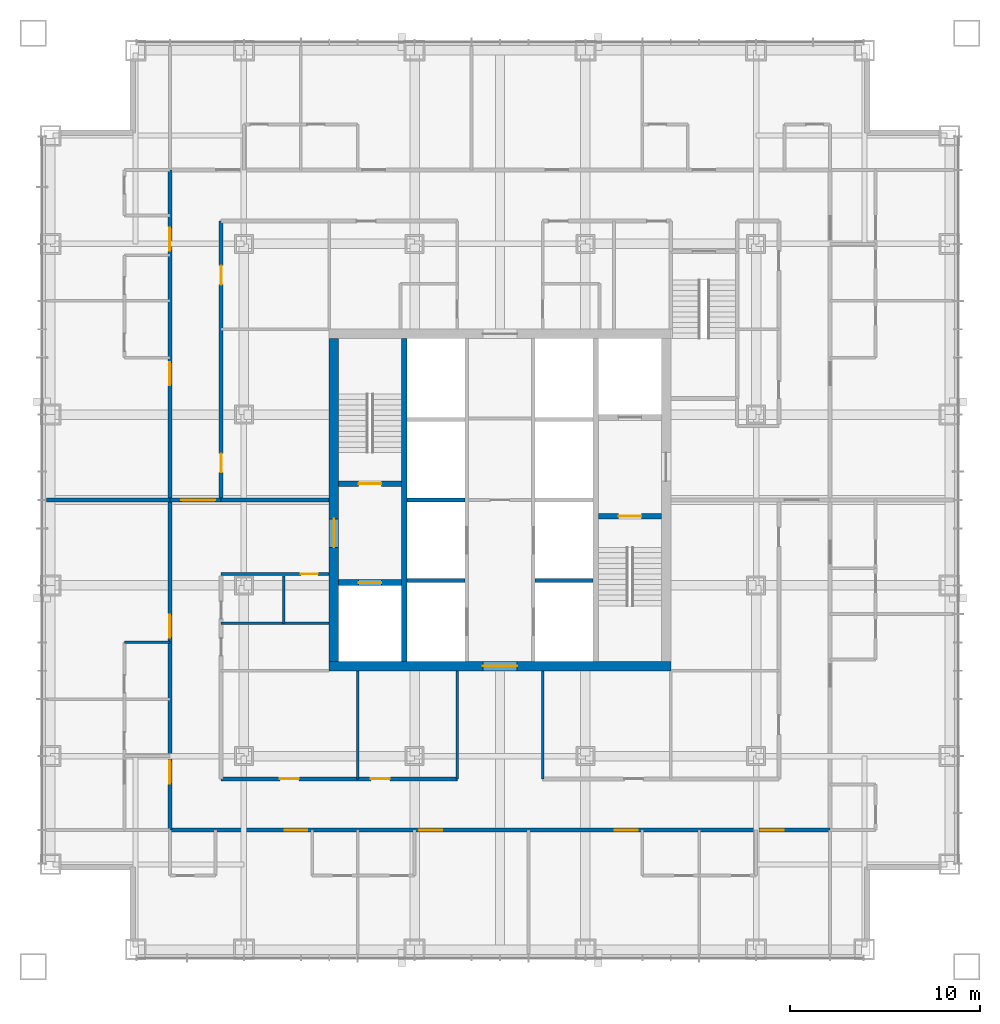
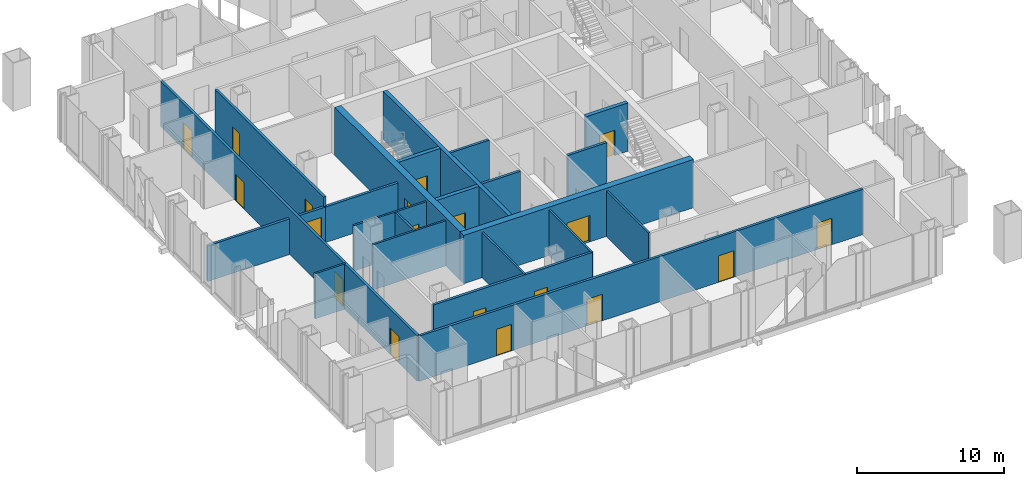
# One storey, part 9 of 18: 23 walls, 19 doors, 19 openings.
"""IFC4 building model written with IfcOpenShell, lengths in metres."""

from ifc_helpers import new_model, si_unit, direction, frame, frame_2d, origin, place, context, subcontext, project, spatial, rectangle, extrude, material, layer, layer_set, type_object, element, fill, save


model = new_model("IFC4")

# Units and contexts
model_context = context("Model", 3, precision=1e-05, world=origin(), true_north=direction((0.0, 1.0)))
body_context = subcontext(model_context, "Body", "Model", "MODEL_VIEW")
ifc_project = project(units=[si_unit("LENGTHUNIT", "METRE"), si_unit("AREAUNIT", "SQUARE_METRE"), si_unit("VOLUMEUNIT", "CUBIC_METRE"), si_unit("PLANEANGLEUNIT", "RADIAN"), si_unit("MASSUNIT", "GRAM", prefix="KILO")], contexts=[model_context])

# Site, building, storey
site_placement = place(None, origin())
site = spatial("IfcSite", under=ifc_project, at=site_placement, CompositionType="ELEMENT")
building_placement = place(site_placement, origin())
building = spatial("IfcBuilding", under=site, at=building_placement, Name="Malebo Sky Hospital", CompositionType="ELEMENT")
storey_placement = place(building_placement, frame((0.0, 0.0, 124.0)))
storey = spatial("IfcBuildingStorey", under=building, at=storey_placement, Name="L29", CompositionType="ELEMENT", Elevation=124.0)

# Walls
ifc_material_1 = material(Name="Concrete C80/95", Category="concrete")
ifc_layer_1 = layer(ifc_material_1, 0.199951171875)
ifc_layer_set_1 = layer_set([ifc_layer_1], Name="CORE INNER WALL 200")
wall_type_1 = type_object("IfcWallType", Name="CORE INNER WALL 200", PredefinedType="SHEAR", material=ifc_layer_set_1)
for number, where, z_axis, x_axis, name in (
    (1, (55.10009765625, 57.75, 0.0), (0.0, 0.0, 1.0), (1.0, 0.0, 0.0), "Core wall SW0 L29"),
    (2, (61.85009765625, 57.75, 0.0), (0.0, 0.0, 1.0), (1.0, 0.0, 0.0), "Core wall SE0 L29"),
    (3, (55.10009765625, 62.0, 0.0), (0.0, 0.0, 1.0), (1.0, 0.0, 0.0), "Core wall SW1 L29"),
):
    element("IfcWall", number, at=place(storey_placement, frame(where, z_axis=z_axis, x_axis=x_axis)), inside=storey, type_object=wall_type_1, Name=name, PredefinedType="SHEAR", context=body_context, shape_type="SweptSolid", body=[
        extrude(rectangle(XDim=3.0498046875, YDim=0.199951171875, at=frame_2d((1.52490234375, 0.0))), origin(), (0.0, 0.0, 1.0), 4.0),
    ])
ifc_layer_2 = layer(ifc_material_1, 0.300048828125)
ifc_layer_set_2 = layer_set([ifc_layer_2], Name="CORE INNER WALL 300")
wall_type_2 = type_object("IfcWallType", Name="CORE INNER WALL 300", PredefinedType="SHEAR", material=ifc_layer_set_2)
wall_1_placement = place(storey_placement, frame((54.949951171875, 53.5, 0.0), z_axis=(0.0, 0.0, 1.0), x_axis=(0.0, 1.0, 0.0)))
element("IfcWall", 4, at=wall_1_placement, inside=storey, type_object=wall_type_2, Name="Core wall XW L29", PredefinedType="SHEAR", context=body_context, shape_type="SweptSolid", body=[
    extrude(rectangle(XDim=17.0, YDim=0.300048828125, at=frame_2d((8.5, 0.0))), origin(), (0.0, 0.0, 1.0), 4.0),
])

# Wall, opening, door
wall_2_placement = place(storey_placement, frame((51.5, 62.85009765625, 0.0), z_axis=(0.0, 0.0, 1.0), x_axis=(1.0, 0.0, 0.0)))
wall_2 = element("IfcWall", 5, at=wall_2_placement, inside=storey, type_object=wall_type_2, Name="Core wall W1 L29", PredefinedType="SHEAR", context=body_context, shape_type="SweptSolid", body=[
    extrude(rectangle(XDim=3.300048828125, YDim=0.300048828125, at=frame_2d((1.64990234375, 0.0))), origin(), (0.0, 0.0, 1.0), 4.0),
])
opening_1_placement = place(wall_2_placement, frame((1.050048828125, 0.0, 0.0)))
opening_1 = element("IfcOpeningElement", 6, at=opening_1_placement, cuts=wall_2, Name="Opening D08", PredefinedType="OPENING", context=body_context, shape_type="SweptSolid", body=[
    extrude(rectangle(XDim=1.199951171875, YDim=2.10009765625, at=frame_2d((0.60009765625, 1.050048828125))), frame((0.0, 0.159912109375, 0.0), z_axis=(0.0, -1.0, 0.0), x_axis=(1.0, 0.0, 0.0)), (0.0, 0.0, 1.0), 0.320068359375),
])
ifc_material_2 = material(Name="Hardwood-faced door leaf in steel frame", Category="steel")
door_type_1 = type_object("IfcDoorType", Name="STAIR DOOR 1200", OperationType="SINGLE_SWING_LEFT", PredefinedType="DOOR", material=ifc_material_2)
door_1_placement = place(opening_1_placement, origin())
door_1 = element("IfcDoor", 7, at=door_1_placement, inside=storey, type_object=door_type_1, Name="Stair S1 door", OperationType="SINGLE_SWING_LEFT", OverallHeight=2.10009765625, OverallWidth=1.199951171875, PredefinedType="DOOR", context=body_context, shape_type="SweptSolid", body=[
    extrude(rectangle(XDim=1.199951171875, YDim=2.10009765625, at=frame_2d((0.60009765625, 1.050048828125))), frame((0.0, 0.02490234375, 0.0), z_axis=(0.0, -1.0, 0.0), x_axis=(1.0, 0.0, 0.0)), (0.0, 0.0, 1.0), 0.050048828125),
])
fill(opening_1, door_1)

wall_3_placement = place(storey_placement, frame((51.5, 57.64990234375, 0.0), z_axis=(0.0, 0.0, 1.0), x_axis=(1.0, 0.0, 0.0)))
wall_3 = element("IfcWall", 8, at=wall_3_placement, inside=storey, type_object=wall_type_2, Name="Core wall W2 L29", PredefinedType="SHEAR", context=body_context, shape_type="SweptSolid", body=[
    extrude(rectangle(XDim=3.300048828125, YDim=0.300048828125, at=frame_2d((1.64990234375, 0.0))), origin(), (0.0, 0.0, 1.0), 4.0),
])
opening_2_placement = place(wall_3_placement, frame((1.050048828125, 0.0, 0.0)))
opening_2 = element("IfcOpeningElement", 9, at=opening_2_placement, cuts=wall_3, Name="Opening LD2", PredefinedType="OPENING", context=body_context, shape_type="SweptSolid", body=[
    extrude(rectangle(XDim=1.199951171875, YDim=2.199951171875, at=frame_2d((0.60009765625, 1.10009765625))), frame((0.0, 0.159912109375, 0.0), z_axis=(0.0, -1.0, 0.0), x_axis=(1.0, 0.0, 0.0)), (0.0, 0.0, 1.0), 0.320068359375),
])
ifc_material_3 = material(Name="Stainless steel sliding landing door", Category="steel")
door_type_2 = type_object("IfcDoorType", Name="FIRE-FIGHTING LIFT LANDING DOOR 1200", OperationType="SLIDING_TO_LEFT", PredefinedType="DOOR", material=ifc_material_3)
door_2_placement = place(opening_2_placement, origin())
door_2 = element("IfcDoor", 10, at=door_2_placement, inside=storey, type_object=door_type_2, Name="Lift FL1 landing door", OperationType="SLIDING_TO_LEFT", OverallHeight=2.199951171875, OverallWidth=1.199951171875, PredefinedType="DOOR", context=body_context, shape_type="SweptSolid", body=[
    extrude(rectangle(XDim=1.199951171875, YDim=2.199951171875, at=frame_2d((0.60009765625, 1.10009765625))), frame((0.0, 0.02490234375, 0.0), z_axis=(0.0, -1.0, 0.0), x_axis=(1.0, 0.0, 0.0)), (0.0, 0.0, 1.0), 0.050048828125),
])
fill(opening_2, door_2)

wall_4_placement = place(storey_placement, frame((65.199951171875, 61.14990234375, 0.0), z_axis=(0.0, 0.0, 1.0), x_axis=(1.0, 0.0, 0.0)))
wall_4 = element("IfcWall", 11, at=wall_4_placement, inside=storey, type_object=wall_type_2, Name="Core wall E1 L29", PredefinedType="SHEAR", context=body_context, shape_type="SweptSolid", body=[
    extrude(rectangle(XDim=3.300048828125, YDim=0.300048828125, at=frame_2d((1.64990234375, 0.0))), origin(), (0.0, 0.0, 1.0), 4.0),
])
opening_3_placement = place(wall_4_placement, frame((1.050048828125, 0.0, 0.0)))
opening_3 = element("IfcOpeningElement", 12, at=opening_3_placement, cuts=wall_4, Name="Opening D08", PredefinedType="OPENING", context=body_context, shape_type="SweptSolid", body=[
    extrude(rectangle(XDim=1.199951171875, YDim=2.10009765625, at=frame_2d((0.60009765625, 1.050048828125))), frame((0.0, 0.159912109375, 0.0), z_axis=(0.0, -1.0, 0.0), x_axis=(1.0, 0.0, 0.0)), (0.0, 0.0, 1.0), 0.320068359375),
])
door_3_placement = place(opening_3_placement, origin())
door_3 = element("IfcDoor", 13, at=door_3_placement, inside=storey, type_object=door_type_1, Name="Stair S2 door", OperationType="SINGLE_SWING_LEFT", OverallHeight=2.10009765625, OverallWidth=1.199951171875, PredefinedType="DOOR", context=body_context, shape_type="SweptSolid", body=[
    extrude(rectangle(XDim=1.199951171875, YDim=2.10009765625, at=frame_2d((0.60009765625, 1.050048828125))), frame((0.0, 0.02490234375, 0.0), z_axis=(0.0, -1.0, 0.0), x_axis=(1.0, 0.0, 0.0)), (0.0, 0.0, 1.0), 0.050048828125),
])
fill(opening_3, door_3)

ifc_layer_3 = layer(ifc_material_1, 0.5)
ifc_layer_set_3 = layer_set([ifc_layer_3], Name="CORE WALL 500")
wall_type_3 = type_object("IfcWallType", Name="CORE WALL 500", PredefinedType="SHEAR", material=ifc_layer_set_3)
wall_5_placement = place(storey_placement, frame((51.0, 53.25, 0.0), z_axis=(0.0, 0.0, 1.0), x_axis=(1.0, 0.0, 0.0)))
wall_5 = element("IfcWall", 14, at=wall_5_placement, inside=storey, type_object=wall_type_3, Name="Core wall S L29", PredefinedType="SHEAR", context=body_context, shape_type="SweptSolid", body=[
    extrude(rectangle(XDim=18.0, YDim=0.5, at=frame_2d((9.0, 0.0))), origin(), (0.0, 0.0, 1.0), 4.0),
])
opening_4_placement = place(wall_5_placement, frame((8.10009765625, 0.0, 0.0)))
opening_4 = element("IfcOpeningElement", 15, at=opening_4_placement, cuts=wall_5, Name="Opening D06", PredefinedType="OPENING", context=body_context, shape_type="SweptSolid", body=[
    extrude(rectangle(XDim=1.800048828125, YDim=2.199951171875, at=frame_2d((0.89990234375, 1.10009765625))), frame((0.0, 0.260009765625, 0.0), z_axis=(0.0, -1.0, 0.0), x_axis=(1.0, 0.0, 0.0)), (0.0, 0.0, 1.0), 0.52001953125),
])
door_type_3 = type_object("IfcDoorType", Name="LOBBY DOOR PAIR 1800", OperationType="DOUBLE_DOOR_SINGLE_SWING", PredefinedType="DOOR", material=ifc_material_2)
door_4_placement = place(opening_4_placement, origin())
door_4 = element("IfcDoor", 16, at=door_4_placement, inside=storey, type_object=door_type_3, Name="Lift lobby door south", OperationType="DOUBLE_DOOR_SINGLE_SWING", OverallHeight=2.199951171875, OverallWidth=1.800048828125, PredefinedType="DOOR", context=body_context, shape_type="SweptSolid", body=[
    extrude(rectangle(XDim=1.800048828125, YDim=2.199951171875, at=frame_2d((0.89990234375, 1.10009765625))), frame((0.0, 0.02490234375, 0.0), z_axis=(0.0, -1.0, 0.0), x_axis=(1.0, 0.0, 0.0)), (0.0, 0.0, 1.0), 0.050048828125),
])
fill(opening_4, door_4)

wall_6_placement = place(storey_placement, frame((51.25, 53.5, 0.0), z_axis=(0.0, 0.0, 1.0), x_axis=(0.0, 1.0, 0.0)))
wall_6 = element("IfcWall", 17, at=wall_6_placement, inside=storey, type_object=wall_type_3, Name="Core wall W L29", PredefinedType="SHEAR", context=body_context, shape_type="SweptSolid", body=[
    extrude(rectangle(XDim=17.0, YDim=0.5, at=frame_2d((8.5, 0.0))), origin(), (0.0, 0.0, 1.0), 4.0),
])
opening_5_placement = place(wall_6_placement, frame((6.0, 0.0, 0.0)))
opening_5 = element("IfcOpeningElement", 18, at=opening_5_placement, cuts=wall_6, Name="Opening D07", PredefinedType="OPENING", context=body_context, shape_type="SweptSolid", body=[
    extrude(rectangle(XDim=1.5, YDim=2.199951171875, at=frame_2d((0.75, 1.10009765625))), frame((0.0, 0.260009765625, 0.0), z_axis=(0.0, -1.0, 0.0), x_axis=(1.0, 0.0, 0.0)), (0.0, 0.0, 1.0), 0.52001953125),
])
door_type_4 = type_object("IfcDoorType", Name="FIRE-FIGHTING LOBBY DOOR PAIR 1500", OperationType="DOUBLE_DOOR_SINGLE_SWING", PredefinedType="DOOR", material=ifc_material_2)
door_5_placement = place(opening_5_placement, origin())
door_5 = element("IfcDoor", 19, at=door_5_placement, inside=storey, type_object=door_type_4, Name="Fire-fighting lobby door west", OperationType="DOUBLE_DOOR_SINGLE_SWING", OverallHeight=2.199951171875, OverallWidth=1.5, PredefinedType="DOOR", context=body_context, shape_type="SweptSolid", body=[
    extrude(rectangle(XDim=1.5, YDim=2.199951171875, at=frame_2d((0.75, 1.10009765625))), frame((0.0, 0.02490234375, 0.0), z_axis=(0.0, -1.0, 0.0), x_axis=(1.0, 0.0, 0.0)), (0.0, 0.0, 1.0), 0.050048828125),
])
fill(opening_5, door_5)

# Wall, openings, doors
ifc_material_4 = material(Name="Gypsum board on steel studs", Category="steel")
ifc_layer_4 = layer(ifc_material_4, 0.199951171875)
ifc_layer_set_4 = layer_set([ifc_layer_4], Name="CORRIDOR WALL 200")
wall_type_4 = type_object("IfcWallType", Name="CORRIDOR WALL 200", PredefinedType="PARTITIONING", material=ifc_layer_set_4)
wall_7_placement = place(storey_placement, frame((42.60009765625, 44.60009765625, 0.0), z_axis=(0.0, 0.0, 1.0), x_axis=(0.0, 1.0, 0.0)))
wall_7 = element("IfcWall", 20, at=wall_7_placement, inside=storey, type_object=wall_type_4, Name="Corridor Wall 200 WCO", PredefinedType="PARTITIONING", context=body_context, shape_type="SweptSolid", body=[
    extrude(rectangle(XDim=34.7998046875, YDim=0.199951171875, at=frame_2d((17.39990234375, 0.0))), origin(), (0.0, 0.0, 1.0), 3.75),
])
opening_6_placement = place(wall_7_placement, frame((2.449951171875, 0.0, 0.0)))
opening_6 = element("IfcOpeningElement", 21, at=opening_6_placement, cuts=wall_7, Name="Opening D18", PredefinedType="OPENING", context=body_context, shape_type="SweptSolid", body=[
    extrude(rectangle(XDim=1.199951171875, YDim=2.199951171875, at=frame_2d((0.60009765625, 1.10009765625))), frame((0.0, 0.10986328125, 0.0), z_axis=(0.0, -1.0, 0.0), x_axis=(1.0, 0.0, 0.0)), (0.0, 0.0, 1.0), 0.219970703125),
])
opening_7_placement = place(wall_7_placement, frame((10.14990234375, 0.0, 0.0)))
opening_7 = element("IfcOpeningElement", 22, at=opening_7_placement, cuts=wall_7, Name="Opening D01", PredefinedType="OPENING", context=body_context, shape_type="SweptSolid", body=[
    extrude(rectangle(XDim=1.199951171875, YDim=2.199951171875, at=frame_2d((0.60009765625, 1.10009765625))), frame((0.0, 0.10986328125, 0.0), z_axis=(0.0, -1.0, 0.0), x_axis=(1.0, 0.0, 0.0)), (0.0, 0.0, 1.0), 0.219970703125),
])
opening_8_placement = place(wall_7_placement, frame((23.449951171875, 0.0, 0.0)))
opening_8 = element("IfcOpeningElement", 23, at=opening_8_placement, cuts=wall_7, Name="Opening D01", PredefinedType="OPENING", context=body_context, shape_type="SweptSolid", body=[
    extrude(rectangle(XDim=1.199951171875, YDim=2.199951171875, at=frame_2d((0.60009765625, 1.10009765625))), frame((0.0, 0.10986328125, 0.0), z_axis=(0.0, -1.0, 0.0), x_axis=(1.0, 0.0, 0.0)), (0.0, 0.0, 1.0), 0.219970703125),
])
opening_9_placement = place(wall_7_placement, frame((30.550048828125, 0.0, 0.0)))
opening_9 = element("IfcOpeningElement", 24, at=opening_9_placement, cuts=wall_7, Name="Opening D01", PredefinedType="OPENING", context=body_context, shape_type="SweptSolid", body=[
    extrude(rectangle(XDim=1.199951171875, YDim=2.199951171875, at=frame_2d((0.60009765625, 1.10009765625))), frame((0.0, 0.10986328125, 0.0), z_axis=(0.0, -1.0, 0.0), x_axis=(1.0, 0.0, 0.0)), (0.0, 0.0, 1.0), 0.219970703125),
])
door_type_5 = type_object("IfcDoorType", Name="ANTEROOM DOOR 1200", OperationType="SINGLE_SWING_LEFT", PredefinedType="DOOR", material=ifc_material_2)
door_6_placement = place(opening_6_placement, origin())
door_6 = element("IfcDoor", 25, at=door_6_placement, inside=storey, type_object=door_type_5, Name="Anteroom door", OperationType="SINGLE_SWING_RIGHT", OverallHeight=2.199951171875, OverallWidth=1.199951171875, PredefinedType="DOOR", context=body_context, shape_type="SweptSolid", body=[
    extrude(rectangle(XDim=1.199951171875, YDim=2.199951171875, at=frame_2d((0.60009765625, 1.10009765625))), frame((0.0, 0.02490234375, 0.0), z_axis=(0.0, -1.0, 0.0), x_axis=(1.0, 0.0, 0.0)), (0.0, 0.0, 1.0), 0.050048828125),
])
fill(opening_6, door_6)
door_type_6 = type_object("IfcDoorType", Name="BED DOOR 1200", OperationType="SINGLE_SWING_LEFT", PredefinedType="DOOR", material=ifc_material_2)
door_7_placement = place(opening_7_placement, origin())
door_7 = element("IfcDoor", 26, at=door_7_placement, inside=storey, type_object=door_type_6, Name="Two-bed room door", OperationType="SINGLE_SWING_LEFT", OverallHeight=2.199951171875, OverallWidth=1.199951171875, PredefinedType="DOOR", context=body_context, shape_type="SweptSolid", body=[
    extrude(rectangle(XDim=1.199951171875, YDim=2.199951171875, at=frame_2d((0.60009765625, 1.10009765625))), frame((0.0, 0.02490234375, 0.0), z_axis=(0.0, -1.0, 0.0), x_axis=(1.0, 0.0, 0.0)), (0.0, 0.0, 1.0), 0.050048828125),
])
fill(opening_7, door_7)
door_8_placement = place(opening_8_placement, origin())
door_8 = element("IfcDoor", 27, at=door_8_placement, inside=storey, type_object=door_type_6, Name="Two-bed room door", OperationType="SINGLE_SWING_RIGHT", OverallHeight=2.199951171875, OverallWidth=1.199951171875, PredefinedType="DOOR", context=body_context, shape_type="SweptSolid", body=[
    extrude(rectangle(XDim=1.199951171875, YDim=2.199951171875, at=frame_2d((0.60009765625, 1.10009765625))), frame((0.0, 0.02490234375, 0.0), z_axis=(0.0, -1.0, 0.0), x_axis=(1.0, 0.0, 0.0)), (0.0, 0.0, 1.0), 0.050048828125),
])
fill(opening_8, door_8)
door_9_placement = place(opening_9_placement, origin())
door_9 = element("IfcDoor", 28, at=door_9_placement, inside=storey, type_object=door_type_6, Name="Four-bed bay door", OperationType="SINGLE_SWING_LEFT", OverallHeight=2.199951171875, OverallWidth=1.199951171875, PredefinedType="DOOR", context=body_context, shape_type="SweptSolid", body=[
    extrude(rectangle(XDim=1.199951171875, YDim=2.199951171875, at=frame_2d((0.60009765625, 1.10009765625))), frame((0.0, 0.02490234375, 0.0), z_axis=(0.0, -1.0, 0.0), x_axis=(1.0, 0.0, 0.0)), (0.0, 0.0, 1.0), 0.050048828125),
])
fill(opening_9, door_9)

wall_8_placement = place(storey_placement, frame((45.300048828125, 62.0, 0.0), z_axis=(0.0, 0.0, 1.0), x_axis=(0.0, 1.0, 0.0)))
wall_8 = element("IfcWall", 29, at=wall_8_placement, inside=storey, type_object=wall_type_4, Name="Corridor Wall 200 WCI2", PredefinedType="PARTITIONING", context=body_context, shape_type="SweptSolid", body=[
    extrude(rectangle(XDim=14.699951171875, YDim=0.199951171875, at=frame_2d((7.35009765625, 0.0))), origin(), (0.0, 0.0, 1.0), 3.75),
])
opening_10_placement = place(wall_8_placement, frame((1.449951171875, 0.0, 0.0)))
opening_10 = element("IfcOpeningElement", 30, at=opening_10_placement, cuts=wall_8, Name="Opening D03", PredefinedType="OPENING", context=body_context, shape_type="SweptSolid", body=[
    extrude(rectangle(XDim=1.0, YDim=2.10009765625, at=frame_2d((0.5, 1.050048828125))), frame((0.0, 0.10986328125, 0.0), z_axis=(0.0, -1.0, 0.0), x_axis=(1.0, 0.0, 0.0)), (0.0, 0.0, 1.0), 0.219970703125),
])
opening_11_placement = place(wall_8_placement, frame((11.35009765625, 0.0, 0.0)))
opening_11 = element("IfcOpeningElement", 31, at=opening_11_placement, cuts=wall_8, Name="Opening D03", PredefinedType="OPENING", context=body_context, shape_type="SweptSolid", body=[
    extrude(rectangle(XDim=1.0, YDim=2.10009765625, at=frame_2d((0.5, 1.050048828125))), frame((0.0, 0.10986328125, 0.0), z_axis=(0.0, -1.0, 0.0), x_axis=(1.0, 0.0, 0.0)), (0.0, 0.0, 1.0), 0.219970703125),
])
door_type_7 = type_object("IfcDoorType", Name="ROOM DOOR 1000", OperationType="SINGLE_SWING_LEFT", PredefinedType="DOOR", material=ifc_material_2)
door_10_placement = place(opening_10_placement, origin())
door_10 = element("IfcDoor", 32, at=door_10_placement, inside=storey, type_object=door_type_7, Name="Nurse station door", OperationType="SINGLE_SWING_LEFT", OverallHeight=2.10009765625, OverallWidth=1.0, PredefinedType="DOOR", context=body_context, shape_type="SweptSolid", body=[
    extrude(rectangle(XDim=1.0, YDim=2.10009765625, at=frame_2d((0.5, 1.050048828125))), frame((0.0, 0.02490234375, 0.0), z_axis=(0.0, -1.0, 0.0), x_axis=(1.0, 0.0, 0.0)), (0.0, 0.0, 1.0), 0.050048828125),
])
fill(opening_10, door_10)
door_11_placement = place(opening_11_placement, origin())
door_11 = element("IfcDoor", 33, at=door_11_placement, inside=storey, type_object=door_type_7, Name="Staff base door", OperationType="SINGLE_SWING_RIGHT", OverallHeight=2.10009765625, OverallWidth=1.0, PredefinedType="DOOR", context=body_context, shape_type="SweptSolid", body=[
    extrude(rectangle(XDim=1.0, YDim=2.10009765625, at=frame_2d((0.5, 1.050048828125))), frame((0.0, 0.02490234375, 0.0), z_axis=(0.0, -1.0, 0.0), x_axis=(1.0, 0.0, 0.0)), (0.0, 0.0, 1.0), 0.050048828125),
])
fill(opening_11, door_11)

wall_9_placement = place(storey_placement, frame((77.39990234375, 44.60009765625, 0.0), z_axis=(0.0, 0.0, 1.0), x_axis=(-1.0, 0.0, 0.0)))
wall_9 = element("IfcWall", 34, at=wall_9_placement, inside=storey, type_object=wall_type_4, Name="Corridor Wall 200 SCO", PredefinedType="PARTITIONING", context=body_context, shape_type="SweptSolid", body=[
    extrude(rectangle(XDim=34.7998046875, YDim=0.199951171875, at=frame_2d((17.39990234375, 0.0))), origin(), (0.0, 0.0, 1.0), 3.75),
])
opening_12_placement = place(wall_9_placement, frame((2.449951171875, 0.0, 0.0)))
opening_12 = element("IfcOpeningElement", 35, at=opening_12_placement, cuts=wall_9, Name="Opening D01", PredefinedType="OPENING", context=body_context, shape_type="SweptSolid", body=[
    extrude(rectangle(XDim=1.199951171875, YDim=2.199951171875, at=frame_2d((0.60009765625, 1.10009765625))), frame((0.0, 0.10986328125, 0.0), z_axis=(0.0, -1.0, 0.0), x_axis=(1.0, 0.0, 0.0)), (0.0, 0.0, 1.0), 0.219970703125),
])
opening_13_placement = place(wall_9_placement, frame((10.14990234375, 0.0, 0.0)))
opening_13 = element("IfcOpeningElement", 36, at=opening_13_placement, cuts=wall_9, Name="Opening D01", PredefinedType="OPENING", context=body_context, shape_type="SweptSolid", body=[
    extrude(rectangle(XDim=1.199951171875, YDim=2.199951171875, at=frame_2d((0.60009765625, 1.10009765625))), frame((0.0, 0.10986328125, 0.0), z_axis=(0.0, -1.0, 0.0), x_axis=(1.0, 0.0, 0.0)), (0.0, 0.0, 1.0), 0.219970703125),
])
opening_14_placement = place(wall_9_placement, frame((20.449951171875, 0.0, 0.0)))
opening_14 = element("IfcOpeningElement", 37, at=opening_14_placement, cuts=wall_9, Name="Opening D01", PredefinedType="OPENING", context=body_context, shape_type="SweptSolid", body=[
    extrude(rectangle(XDim=1.199951171875, YDim=2.199951171875, at=frame_2d((0.60009765625, 1.10009765625))), frame((0.0, 0.10986328125, 0.0), z_axis=(0.0, -1.0, 0.0), x_axis=(1.0, 0.0, 0.0)), (0.0, 0.0, 1.0), 0.219970703125),
])
opening_15_placement = place(wall_9_placement, frame((27.550048828125, 0.0, 0.0)))
opening_15 = element("IfcOpeningElement", 38, at=opening_15_placement, cuts=wall_9, Name="Opening D01", PredefinedType="OPENING", context=body_context, shape_type="SweptSolid", body=[
    extrude(rectangle(XDim=1.199951171875, YDim=2.199951171875, at=frame_2d((0.60009765625, 1.10009765625))), frame((0.0, 0.10986328125, 0.0), z_axis=(0.0, -1.0, 0.0), x_axis=(1.0, 0.0, 0.0)), (0.0, 0.0, 1.0), 0.219970703125),
])
door_12_placement = place(opening_12_placement, origin())
door_12 = element("IfcDoor", 39, at=door_12_placement, inside=storey, type_object=door_type_6, Name="Two-bed room door", OperationType="SINGLE_SWING_RIGHT", OverallHeight=2.199951171875, OverallWidth=1.199951171875, PredefinedType="DOOR", context=body_context, shape_type="SweptSolid", body=[
    extrude(rectangle(XDim=1.199951171875, YDim=2.199951171875, at=frame_2d((0.60009765625, 1.10009765625))), frame((0.0, 0.02490234375, 0.0), z_axis=(0.0, -1.0, 0.0), x_axis=(1.0, 0.0, 0.0)), (0.0, 0.0, 1.0), 0.050048828125),
])
fill(opening_12, door_12)
door_13_placement = place(opening_13_placement, origin())
door_13 = element("IfcDoor", 40, at=door_13_placement, inside=storey, type_object=door_type_6, Name="Two-bed room door", OperationType="SINGLE_SWING_LEFT", OverallHeight=2.199951171875, OverallWidth=1.199951171875, PredefinedType="DOOR", context=body_context, shape_type="SweptSolid", body=[
    extrude(rectangle(XDim=1.199951171875, YDim=2.199951171875, at=frame_2d((0.60009765625, 1.10009765625))), frame((0.0, 0.02490234375, 0.0), z_axis=(0.0, -1.0, 0.0), x_axis=(1.0, 0.0, 0.0)), (0.0, 0.0, 1.0), 0.050048828125),
])
fill(opening_13, door_13)
door_14_placement = place(opening_14_placement, origin())
door_14 = element("IfcDoor", 41, at=door_14_placement, inside=storey, type_object=door_type_6, Name="Two-bed room door", OperationType="SINGLE_SWING_RIGHT", OverallHeight=2.199951171875, OverallWidth=1.199951171875, PredefinedType="DOOR", context=body_context, shape_type="SweptSolid", body=[
    extrude(rectangle(XDim=1.199951171875, YDim=2.199951171875, at=frame_2d((0.60009765625, 1.10009765625))), frame((0.0, 0.02490234375, 0.0), z_axis=(0.0, -1.0, 0.0), x_axis=(1.0, 0.0, 0.0)), (0.0, 0.0, 1.0), 0.050048828125),
])
fill(opening_14, door_14)
door_15_placement = place(opening_15_placement, origin())
door_15 = element("IfcDoor", 42, at=door_15_placement, inside=storey, type_object=door_type_6, Name="Four-bed bay door", OperationType="SINGLE_SWING_LEFT", OverallHeight=2.199951171875, OverallWidth=1.199951171875, PredefinedType="DOOR", context=body_context, shape_type="SweptSolid", body=[
    extrude(rectangle(XDim=1.199951171875, YDim=2.199951171875, at=frame_2d((0.60009765625, 1.10009765625))), frame((0.0, 0.02490234375, 0.0), z_axis=(0.0, -1.0, 0.0), x_axis=(1.0, 0.0, 0.0)), (0.0, 0.0, 1.0), 0.050048828125),
])
fill(opening_15, door_15)

wall_10_placement = place(storey_placement, frame((57.75, 47.300048828125, 0.0), z_axis=(0.0, 0.0, 1.0), x_axis=(-1.0, 0.0, 0.0)))
wall_10 = element("IfcWall", 43, at=wall_10_placement, inside=storey, type_object=wall_type_4, Name="Corridor Wall 200 SCI2", PredefinedType="PARTITIONING", context=body_context, shape_type="SweptSolid", body=[
    extrude(rectangle(XDim=12.449951171875, YDim=0.199951171875, at=frame_2d((6.22509765625, 0.0))), origin(), (0.0, 0.0, 1.0), 3.75),
])
opening_16_placement = place(wall_10_placement, frame((3.550048828125, 0.0, 0.0)))
opening_16 = element("IfcOpeningElement", 44, at=opening_16_placement, cuts=wall_10, Name="Opening D03", PredefinedType="OPENING", context=body_context, shape_type="SweptSolid", body=[
    extrude(rectangle(XDim=1.0, YDim=2.10009765625, at=frame_2d((0.5, 1.050048828125))), frame((0.0, 0.10986328125, 0.0), z_axis=(0.0, -1.0, 0.0), x_axis=(1.0, 0.0, 0.0)), (0.0, 0.0, 1.0), 0.219970703125),
])
opening_17_placement = place(wall_10_placement, frame((8.35009765625, 0.0, 0.0)))
opening_17 = element("IfcOpeningElement", 45, at=opening_17_placement, cuts=wall_10, Name="Opening D03", PredefinedType="OPENING", context=body_context, shape_type="SweptSolid", body=[
    extrude(rectangle(XDim=1.0, YDim=2.10009765625, at=frame_2d((0.5, 1.050048828125))), frame((0.0, 0.10986328125, 0.0), z_axis=(0.0, -1.0, 0.0), x_axis=(1.0, 0.0, 0.0)), (0.0, 0.0, 1.0), 0.219970703125),
])
door_16_placement = place(opening_16_placement, origin())
door_16 = element("IfcDoor", 46, at=door_16_placement, inside=storey, type_object=door_type_7, Name="Consulting room door", OperationType="SINGLE_SWING_RIGHT", OverallHeight=2.10009765625, OverallWidth=1.0, PredefinedType="DOOR", context=body_context, shape_type="SweptSolid", body=[
    extrude(rectangle(XDim=1.0, YDim=2.10009765625, at=frame_2d((0.5, 1.050048828125))), frame((0.0, 0.02490234375, 0.0), z_axis=(0.0, -1.0, 0.0), x_axis=(1.0, 0.0, 0.0)), (0.0, 0.0, 1.0), 0.050048828125),
])
fill(opening_16, door_16)
door_17_placement = place(opening_17_placement, origin())
door_17 = element("IfcDoor", 47, at=door_17_placement, inside=storey, type_object=door_type_7, Name="Treatment room door", OperationType="SINGLE_SWING_RIGHT", OverallHeight=2.10009765625, OverallWidth=1.0, PredefinedType="DOOR", context=body_context, shape_type="SweptSolid", body=[
    extrude(rectangle(XDim=1.0, YDim=2.10009765625, at=frame_2d((0.5, 1.050048828125))), frame((0.0, 0.02490234375, 0.0), z_axis=(0.0, -1.0, 0.0), x_axis=(1.0, 0.0, 0.0)), (0.0, 0.0, 1.0), 0.050048828125),
])
fill(opening_17, door_17)

# Wall
ifc_layer_5 = layer(ifc_material_4, 0.14990234375)
ifc_layer_set_5 = layer_set([ifc_layer_5], Name="PARTITION 150")
wall_type_5 = type_object("IfcWallType", Name="PARTITION 150", PredefinedType="PARTITIONING", material=ifc_layer_set_5)
wall_11_placement = place(storey_placement, frame((42.60009765625, 54.5, 0.0), z_axis=(0.0, 0.0, 1.0), x_axis=(-1.0, 0.0, 0.0)))
element("IfcWall", 48, at=wall_11_placement, inside=storey, type_object=wall_type_5, Name="Partition 150 WE1S", PredefinedType="PARTITIONING", context=body_context, shape_type="SweptSolid", body=[
    extrude(rectangle(XDim=2.400146484375, YDim=0.14990234375, at=frame_2d((1.2001953125, 0.0))), origin(), (0.0, 0.0, 1.0), 3.75),
])

# Wall, opening, door
wall_12_placement = place(storey_placement, frame((51.0, 58.10009765625, 0.0), z_axis=(0.0, 0.0, 1.0), x_axis=(-1.0, 0.0, 0.0)))
wall_12 = element("IfcWall", 49, at=wall_12_placement, inside=storey, type_object=wall_type_5, Name="Partition 150 WSPA", PredefinedType="PARTITIONING", context=body_context, shape_type="SweptSolid", body=[
    extrude(rectangle(XDim=5.699951171875, YDim=0.14990234375, at=frame_2d((2.85009765625, 0.0))), origin(), (0.0, 0.0, 1.0), 3.75),
])
opening_18_placement = place(wall_12_placement, frame((0.60009765625, 0.0, 0.0)))
opening_18 = element("IfcOpeningElement", 50, at=opening_18_placement, cuts=wall_12, Name="Opening D04", PredefinedType="OPENING", context=body_context, shape_type="SweptSolid", body=[
    extrude(rectangle(XDim=0.89990234375, YDim=2.10009765625, at=frame_2d((0.449951171875, 1.050048828125))), frame((0.0, 0.0849609375, 0.0), z_axis=(0.0, -1.0, 0.0), x_axis=(1.0, 0.0, 0.0)), (0.0, 0.0, 1.0), 0.169921875),
])
door_type_8 = type_object("IfcDoorType", Name="ROOM DOOR 900", OperationType="SINGLE_SWING_LEFT", PredefinedType="DOOR", material=ifc_material_2)
door_18_placement = place(opening_18_placement, origin())
door_18 = element("IfcDoor", 51, at=door_18_placement, inside=storey, type_object=door_type_8, Name="Cleaner's room door", OperationType="SINGLE_SWING_LEFT", OverallHeight=2.10009765625, OverallWidth=0.89990234375, PredefinedType="DOOR", context=body_context, shape_type="SweptSolid", body=[
    extrude(rectangle(XDim=0.89990234375, YDim=2.10009765625, at=frame_2d((0.449951171875, 1.050048828125))), frame((0.0, 0.02490234375, 0.0), z_axis=(0.0, -1.0, 0.0), x_axis=(1.0, 0.0, 0.0)), (0.0, 0.0, 1.0), 0.050048828125),
])
fill(opening_18, door_18)

# Walls
wall_13_placement = place(storey_placement, frame((51.0, 55.5, 0.0), z_axis=(0.0, 0.0, 1.0), x_axis=(-1.0, 0.0, 0.0)))
element("IfcWall", 52, at=wall_13_placement, inside=storey, type_object=wall_type_5, Name="Partition 150 WSP-6.5", PredefinedType="PARTITIONING", context=body_context, shape_type="SweptSolid", body=[
    extrude(rectangle(XDim=5.699951171875, YDim=0.14990234375, at=frame_2d((2.85009765625, 0.0))), origin(), (0.0, 0.0, 1.0), 3.75),
])
wall_14_placement = place(storey_placement, frame((48.60009765625, 55.5, 0.0), z_axis=(0.0, 0.0, 1.0), x_axis=(0.0, 1.0, 0.0)))
element("IfcWall", 53, at=wall_14_placement, inside=storey, type_object=wall_type_5, Name="Partition 150 WSX1", PredefinedType="PARTITIONING", context=body_context, shape_type="SweptSolid", body=[
    extrude(rectangle(XDim=2.5, YDim=0.14990234375, at=frame_2d((1.25, 0.0))), origin(), (0.0, 0.0, 1.0), 3.75),
])
for number, where, z_axis, x_axis, name in (
    (54, (62.25, 53.0, 0.0), (0.0, 0.0, 1.0), (0.0, -1.0, 0.0), "Partition 150 SSPA"),
    (55, (57.75, 53.0, 0.0), (0.0, 0.0, 1.0), (0.0, -1.0, 0.0), "Partition 150 SSPB"),
    (56, (52.5, 53.0, 0.0), (0.0, 0.0, 1.0), (0.0, -1.0, 0.0), "Partition 150 SSP+7.5"),
):
    element("IfcWall", number, at=place(storey_placement, frame(where, z_axis=z_axis, x_axis=x_axis)), inside=storey, type_object=wall_type_5, Name=name, PredefinedType="PARTITIONING", context=body_context, shape_type="SweptSolid", body=[
        extrude(rectangle(XDim=5.699951171875, YDim=0.14990234375, at=frame_2d((2.85009765625, 0.0))), origin(), (0.0, 0.0, 1.0), 3.75),
    ])
ifc_material_5 = material(Name="Concrete blockwork", Category="masonry")
ifc_layer_6 = layer(ifc_material_5, 0.199951171875)
ifc_layer_set_6 = layer_set([ifc_layer_6], Name="SMOKE BARRIER WALL 200")
wall_type_6 = type_object("IfcWallType", Name="SMOKE BARRIER WALL 200", PredefinedType="SOLIDWALL", material=ifc_layer_set_6)
wall_15_placement = place(storey_placement, frame((42.60009765625, 62.0, 0.0), z_axis=(0.0, 0.0, 1.0), x_axis=(-1.0, 0.0, 0.0)))
element("IfcWall", 57, at=wall_15_placement, inside=storey, type_object=wall_type_6, Name="Smoke Barrier Wall 200 WP+0.0", PredefinedType="SOLIDWALL", context=body_context, shape_type="SweptSolid", body=[
    extrude(rectangle(XDim=6.510009765625, YDim=0.199951171875, at=frame_2d((3.2548828125, 0.0))), origin(), (0.0, 0.0, 1.0), 2.949951171875),
])
wall_16_placement = place(storey_placement, frame((51.0, 62.0, 0.0), z_axis=(0.0, 0.0, 1.0), x_axis=(-1.0, 0.0, 0.0)))
element("IfcWall", 58, at=wall_16_placement, inside=storey, type_object=wall_type_6, Name="Smoke Barrier Wall 200 WSPB", PredefinedType="SOLIDWALL", context=body_context, shape_type="SweptSolid", body=[
    extrude(rectangle(XDim=5.699951171875, YDim=0.199951171875, at=frame_2d((2.85009765625, 0.0))), origin(), (0.0, 0.0, 1.0), 2.949951171875),
])

# Wall, opening, door
wall_17_placement = place(storey_placement, frame((45.300048828125, 62.0, 0.0), z_axis=(0.0, 0.0, 1.0), x_axis=(-1.0, 0.0, 0.0)))
wall_17 = element("IfcWall", 59, at=wall_17_placement, inside=storey, type_object=wall_type_6, Name="Smoke Barrier Wall 200 WSB", PredefinedType="SOLIDWALL", context=body_context, shape_type="SweptSolid", body=[
    extrude(rectangle(XDim=2.699951171875, YDim=0.199951171875, at=frame_2d((1.35009765625, 0.0))), origin(), (0.0, 0.0, 1.0), 2.949951171875),
])
opening_19_placement = place(wall_17_placement, frame((0.300048828125, 0.0, 0.0)))
opening_19 = element("IfcOpeningElement", 60, at=opening_19_placement, cuts=wall_17, Name="Opening D05", PredefinedType="OPENING", context=body_context, shape_type="SweptSolid", body=[
    extrude(rectangle(XDim=1.800048828125, YDim=2.199951171875, at=frame_2d((0.89990234375, 1.10009765625))), frame((0.0, 0.10986328125, 0.0), z_axis=(0.0, -1.0, 0.0), x_axis=(1.0, 0.0, 0.0)), (0.0, 0.0, 1.0), 0.219970703125),
])
door_type_9 = type_object("IfcDoorType", Name="SMOKE DOOR PAIR 1800", OperationType="DOUBLE_DOOR_DOUBLE_SWING", PredefinedType="DOOR", material=ifc_material_2)
door_19_placement = place(opening_19_placement, origin())
door_19 = element("IfcDoor", 61, at=door_19_placement, inside=storey, type_object=door_type_9, Name="Smoke compartment door pair", OperationType="DOUBLE_DOOR_DOUBLE_SWING", OverallHeight=2.199951171875, OverallWidth=1.800048828125, PredefinedType="DOOR", context=body_context, shape_type="SweptSolid", body=[
    extrude(rectangle(XDim=1.800048828125, YDim=2.199951171875, at=frame_2d((0.89990234375, 1.10009765625))), frame((0.0, 0.02490234375, 0.0), z_axis=(0.0, -1.0, 0.0), x_axis=(1.0, 0.0, 0.0)), (0.0, 0.0, 1.0), 0.050048828125),
])
fill(opening_19, door_19)

save(model, "model.ifc")
